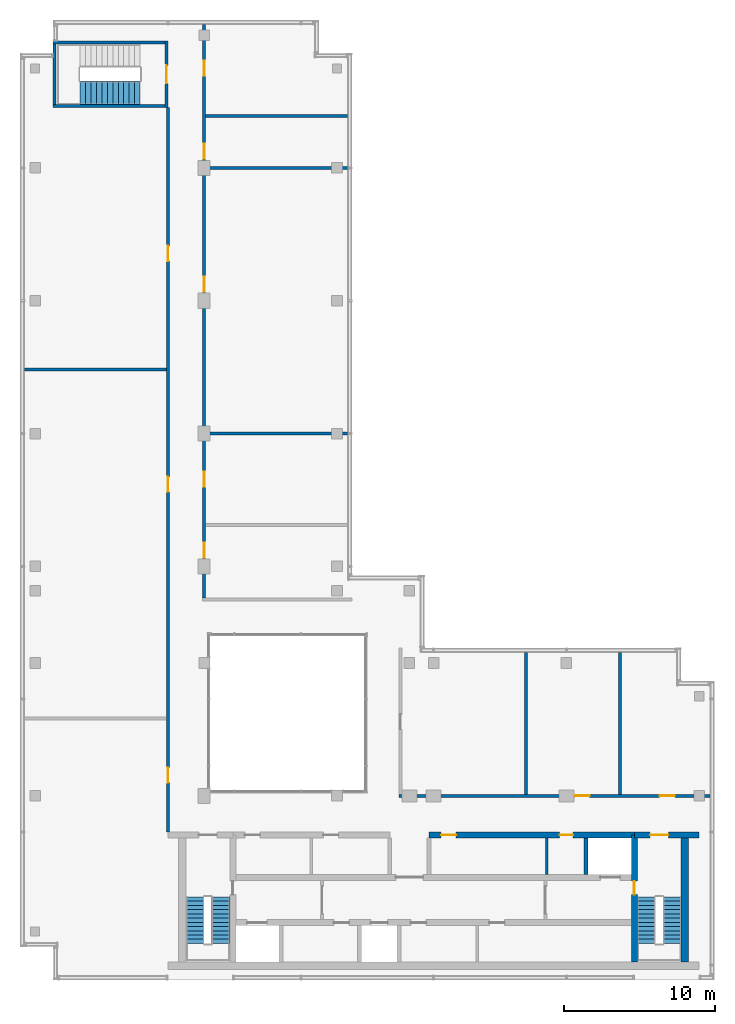
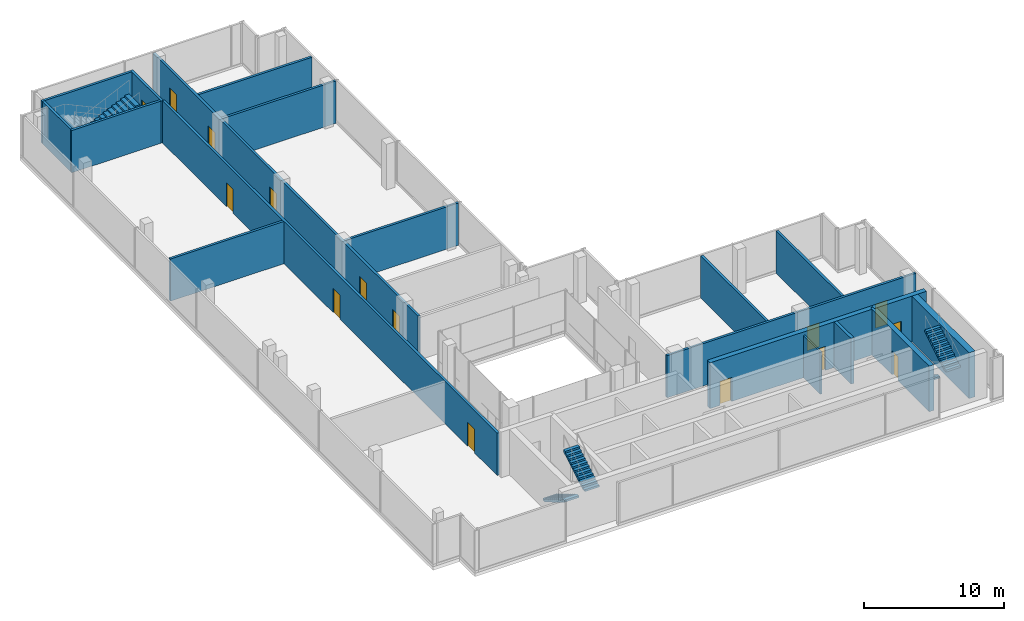
# One storey, part 9 of 11: 19 walls, 15 doors, 5 stair flights, 15 openings, 3 elements without a shape of their own.
"""IFC4 building model written with IfcOpenShell, lengths in metres."""

from ifc_helpers import new_model, si_unit, direction, frame, frame_2d, origin, place, context, subcontext, project, spatial, polyline, rectangle, outline, extrude, material, layer, layer_set, type_object, element, fill, aggregate, save


model = new_model("IFC4")

# Units and contexts
model_context = context("Model", 3, precision=1e-05, world=origin(), true_north=direction((0.0, 1.0)))
body_context = subcontext(model_context, "Body", "Model", "MODEL_VIEW")
ifc_project = project(units=[si_unit("LENGTHUNIT", "METRE"), si_unit("AREAUNIT", "SQUARE_METRE"), si_unit("VOLUMEUNIT", "CUBIC_METRE"), si_unit("PLANEANGLEUNIT", "RADIAN"), si_unit("MASSUNIT", "GRAM", prefix="KILO")], contexts=[model_context])

# Site, building, storey
site_placement = place(None, origin())
site = spatial("IfcSite", under=ifc_project, at=site_placement, CompositionType="ELEMENT")
building_placement = place(site_placement, origin())
building = spatial("IfcBuilding", under=site, at=building_placement, Name="Kemantara Hotel Tower", CompositionType="ELEMENT")
storey_placement = place(building_placement, frame((0.0, 0.0, 322.199951171875)))
storey = spatial("IfcBuildingStorey", under=building, at=storey_placement, Name="L81", CompositionType="ELEMENT", Elevation=322.199951171875)

# Wall
ifc_material_1 = material(Name="Concrete fc 50 MPa", Category="concrete")
ifc_layer_1 = layer(ifc_material_1, 0.25)
ifc_layer_set_1 = layer_set([ifc_layer_1], Name="Concrete fc 50 MPa")
wall_type_1 = type_object("IfcWallType", Name="CORE WALL 250 FC50", PredefinedType="SHEAR", material=ifc_layer_set_1)
wall_1_placement = place(storey_placement, frame((37.5, 7.0, 0.0), z_axis=(0.0, 0.0, 1.0), x_axis=(0.0, 1.0, 0.0)))
element("IfcWall", 1, at=wall_1_placement, inside=storey, type_object=wall_type_1, Name="CORE WALL CW-DN37.5", PredefinedType="SHEAR", context=body_context, shape_type="SweptSolid", body=[
    extrude(rectangle(XDim=2.39990234375, YDim=0.25, at=frame_2d((1.199951171875, 0.0))), origin(), (0.0, 0.0, 1.0), 4.0),
])

# Wall, opening, door
ifc_layer_2 = layer(ifc_material_1, 0.39990234375)
ifc_layer_set_2 = layer_set([ifc_layer_2], Name="Concrete fc 50 MPa")
wall_type_2 = type_object("IfcWallType", Name="CORE WALL 400 FC50", PredefinedType="SHEAR", material=ifc_layer_set_2)
wall_2_placement = place(storey_placement, frame((40.699951171875, 9.60009765625, 0.0), z_axis=(0.0, 0.0, 1.0), x_axis=(1.0, 0.0, 0.0)))
wall_2 = element("IfcWall", 2, at=wall_2_placement, inside=storey, type_object=wall_type_2, Name="CORE WALL CW-N2", PredefinedType="SHEAR", context=body_context, shape_type="SweptSolid", body=[
    extrude(rectangle(XDim=4.300048828125, YDim=0.39990234375, at=frame_2d((2.14990234375, 0.0))), origin(), (0.0, 0.0, 1.0), 4.0),
])
opening_1_placement = place(wall_2_placement, frame((1.050048828125, 0.0, 0.0)))
opening_1 = element("IfcOpeningElement", 3, at=opening_1_placement, cuts=wall_2, Name="Opening C45-ST2-C", PredefinedType="OPENING", context=body_context, shape_type="SweptSolid", body=[
    extrude(rectangle(XDim=1.199951171875, YDim=2.10009765625, at=frame_2d((0.60009765625, 1.050048828125))), frame((0.0, 0.2099609375, 0.0), z_axis=(0.0, -1.0, 0.0), x_axis=(1.0, 0.0, 0.0)), (0.0, 0.0, 1.0), 0.419921875),
])
ifc_material_2 = material(Name="Steel fire door", Category="steel")
door_type_1 = type_object("IfcDoorType", Name="Fire door FD90 1200 x 2100", OperationType="NOTDEFINED", PredefinedType="DOOR", material=ifc_material_2)
door_1_placement = place(opening_1_placement, frame((1.199951171875, 0.0, 0.0), z_axis=(0.0, 0.0, 1.0), x_axis=(-1.0, 0.0, 0.0)))
door_1 = element("IfcDoor", 4, at=door_1_placement, inside=storey, type_object=door_type_1, Name="Stair ST2 door to corridor", OperationType="SINGLE_SWING_RIGHT", OverallHeight=2.10009765625, OverallWidth=1.199951171875, PredefinedType="DOOR", context=body_context, shape_type="SweptSolid", body=[
    extrude(rectangle(XDim=1.199951171875, YDim=2.10009765625, at=frame_2d((0.60009765625, 1.050048828125))), frame((0.0, 0.02490234375, 0.0), z_axis=(0.0, -1.0, 0.0), x_axis=(1.0, 0.0, 0.0)), (0.0, 0.0, 1.0), 0.050048828125),
])
fill(opening_1, door_1)

# Wall, openings, doors
wall_3_placement = place(storey_placement, frame((27.10009765625, 9.60009765625, 0.0), z_axis=(0.0, 0.0, 1.0), x_axis=(1.0, 0.0, 0.0)))
wall_3 = element("IfcWall", 5, at=wall_3_placement, inside=storey, type_object=wall_type_2, Name="CORE WALL CW-NN2", PredefinedType="SHEAR", context=body_context, shape_type="SweptSolid", body=[
    extrude(rectangle(XDim=13.599853515625, YDim=0.39990234375, at=frame_2d((6.7998046875, 0.0))), origin(), (0.0, 0.0, 1.0), 4.0),
])
opening_2_placement = place(wall_3_placement, frame((0.800048828125, 0.0, 0.0)))
opening_2 = element("IfcOpeningElement", 6, at=opening_2_placement, cuts=wall_3, Name="Opening C45-R-NE1", PredefinedType="OPENING", context=body_context, shape_type="SweptSolid", body=[
    extrude(rectangle(XDim=1.0, YDim=2.10009765625, at=frame_2d((0.5, 1.050048828125))), frame((0.0, 0.2099609375, 0.0), z_axis=(0.0, -1.0, 0.0), x_axis=(1.0, 0.0, 0.0)), (0.0, 0.0, 1.0), 0.419921875),
])
opening_3_placement = place(wall_3_placement, frame((8.64990234375, 0.0, 0.0)))
opening_3 = element("IfcOpeningElement", 7, at=opening_3_placement, cuts=wall_3, Name="Opening C45-R-NE2", PredefinedType="OPENING", context=body_context, shape_type="SweptSolid", body=[
    extrude(rectangle(XDim=0.89990234375, YDim=2.10009765625, at=frame_2d((0.449951171875, 1.050048828125))), frame((0.0, 0.2099609375, 0.0), z_axis=(0.0, -1.0, 0.0), x_axis=(1.0, 0.0, 0.0)), (0.0, 0.0, 1.0), 0.419921875),
])
door_type_2 = type_object("IfcDoorType", Name="Fire door FD60 1000 x 2100", OperationType="NOTDEFINED", PredefinedType="DOOR", material=ifc_material_2)
door_2_placement = place(opening_2_placement, frame((1.0, 0.0, 0.0), z_axis=(0.0, 0.0, 1.0), x_axis=(-1.0, 0.0, 0.0)))
door_2 = element("IfcDoor", 8, at=door_2_placement, inside=storey, type_object=door_type_2, Name="Pump And Tank Room door", OperationType="SINGLE_SWING_RIGHT", OverallHeight=2.10009765625, OverallWidth=1.0, PredefinedType="DOOR", context=body_context, shape_type="SweptSolid", body=[
    extrude(rectangle(XDim=1.0, YDim=2.10009765625, at=frame_2d((0.5, 1.050048828125))), frame((0.0, 0.02490234375, 0.0), z_axis=(0.0, -1.0, 0.0), x_axis=(1.0, 0.0, 0.0)), (0.0, 0.0, 1.0), 0.050048828125),
])
fill(opening_2, door_2)
door_type_3 = type_object("IfcDoorType", Name="Fire door FD60 900 x 2100", OperationType="NOTDEFINED", PredefinedType="DOOR", material=ifc_material_2)
door_3_placement = place(opening_3_placement, frame((0.89990234375, 0.0, 0.0), z_axis=(0.0, 0.0, 1.0), x_axis=(-1.0, 0.0, 0.0)))
door_3 = element("IfcDoor", 9, at=door_3_placement, inside=storey, type_object=door_type_3, Name="Plumbing Riser Room door", OperationType="SINGLE_SWING_LEFT", OverallHeight=2.10009765625, OverallWidth=0.89990234375, PredefinedType="DOOR", context=body_context, shape_type="SweptSolid", body=[
    extrude(rectangle(XDim=0.89990234375, YDim=2.10009765625, at=frame_2d((0.449951171875, 1.050048828125))), frame((0.0, 0.02490234375, 0.0), z_axis=(0.0, -1.0, 0.0), x_axis=(1.0, 0.0, 0.0)), (0.0, 0.0, 1.0), 0.050048828125),
])
fill(opening_3, door_3)

# Wall, opening, door
wall_4_placement = place(storey_placement, frame((40.699951171875, 1.199951171875, 0.0), z_axis=(0.0, 0.0, 1.0), x_axis=(0.0, 1.0, 0.0)))
wall_4 = element("IfcWall", 10, at=wall_4_placement, inside=storey, type_object=wall_type_2, Name="CORE WALL CW-ST2W", PredefinedType="SHEAR", context=body_context, shape_type="SweptSolid", body=[
    extrude(rectangle(XDim=8.400146484375, YDim=0.39990234375, at=frame_2d((4.2001953125, 0.0))), origin(), (0.0, 0.0, 1.0), 4.0),
])
opening_4_placement = place(wall_4_placement, frame((4.449951171875, 0.0, 0.0)))
opening_4 = element("IfcOpeningElement", 11, at=opening_4_placement, cuts=wall_4, Name="Opening C45-ST2-F", PredefinedType="OPENING", context=body_context, shape_type="SweptSolid", body=[
    extrude(rectangle(XDim=0.89990234375, YDim=2.10009765625, at=frame_2d((0.449951171875, 1.050048828125))), frame((0.0, 0.2099609375, 0.0), z_axis=(0.0, -1.0, 0.0), x_axis=(1.0, 0.0, 0.0)), (0.0, 0.0, 1.0), 0.419921875),
])
door_type_4 = type_object("IfcDoorType", Name="Fire door FD90 900 x 2100", OperationType="NOTDEFINED", PredefinedType="DOOR", material=ifc_material_2)
door_4_placement = place(opening_4_placement, frame((0.89990234375, 0.0, 0.0), z_axis=(0.0, 0.0, 1.0), x_axis=(-1.0, 0.0, 0.0)))
door_4 = element("IfcDoor", 12, at=door_4_placement, inside=storey, type_object=door_type_4, Name="Stair ST2 door to firefighting lobby", OperationType="SINGLE_SWING_LEFT", OverallHeight=2.10009765625, OverallWidth=0.89990234375, PredefinedType="DOOR", context=body_context, shape_type="SweptSolid", body=[
    extrude(rectangle(XDim=0.89990234375, YDim=2.10009765625, at=frame_2d((0.449951171875, 1.050048828125))), frame((0.0, 0.02490234375, 0.0), z_axis=(0.0, -1.0, 0.0), x_axis=(1.0, 0.0, 0.0)), (0.0, 0.0, 1.0), 0.050048828125),
])
fill(opening_4, door_4)

# Wall
ifc_layer_3 = layer(ifc_material_1, 0.5)
ifc_layer_set_3 = layer_set([ifc_layer_3], Name="Concrete fc 50 MPa")
wall_type_3 = type_object("IfcWallType", Name="CORE WALL 500 FC50", PredefinedType="SHEAR", material=ifc_layer_set_3)
wall_5_placement = place(storey_placement, frame((44.050048828125, 1.199951171875, 0.0), z_axis=(0.0, 0.0, 1.0), x_axis=(0.0, 1.0, 0.0)))
element("IfcWall", 13, at=wall_5_placement, inside=storey, type_object=wall_type_3, Name="CORE WALL CW-E", PredefinedType="SHEAR", context=body_context, shape_type="SweptSolid", body=[
    extrude(rectangle(XDim=8.60009765625, YDim=0.5, at=frame_2d((4.300048828125, 0.0))), origin(), (0.0, 0.0, 1.0), 4.0),
])

# Wall, opening, door
ifc_material_3 = material(Name="Concrete fc 40 MPa", Category="concrete")
ifc_layer_4 = layer(ifc_material_3, 0.199951171875)
ifc_layer_set_4 = layer_set([ifc_layer_4], Name="Concrete fc 40 MPa")
wall_type_4 = type_object("IfcWallType", Name="Concrete stair wall 200 mm", PredefinedType="SHEAR", material=ifc_layer_set_4)
wall_6_placement = place(storey_placement, frame((9.699951171875, 57.800048828125, 0.0), z_axis=(0.0, 0.0, 1.0), x_axis=(0.0, 1.0, 0.0)))
wall_6 = element("IfcWall", 14, at=wall_6_placement, inside=storey, type_object=wall_type_4, Name="Stair ST4 enclosure wall with door", PredefinedType="SHEAR", context=body_context, shape_type="SweptSolid", body=[
    extrude(rectangle(XDim=4.39990234375, YDim=0.199951171875, at=frame_2d((2.199951171875, 0.0))), origin(), (0.0, 0.0, 1.0), 3.699951171875),
])
opening_5_placement = place(wall_6_placement, frame((1.60009765625, 0.0, 0.0)))
opening_5 = element("IfcOpeningElement", 15, at=opening_5_placement, cuts=wall_6, Name="Opening ST4-C", PredefinedType="OPENING", context=body_context, shape_type="SweptSolid", body=[
    extrude(rectangle(XDim=1.199951171875, YDim=2.10009765625, at=frame_2d((0.60009765625, 1.050048828125))), frame((0.0, 0.10986328125, 0.0), z_axis=(0.0, -1.0, 0.0), x_axis=(1.0, 0.0, 0.0)), (0.0, 0.0, 1.0), 0.219970703125),
])
door_5_placement = place(opening_5_placement, origin())
door_5 = element("IfcDoor", 16, at=door_5_placement, inside=storey, type_object=door_type_1, Name="Stair ST4 door", OperationType="SINGLE_SWING_RIGHT", OverallHeight=2.10009765625, OverallWidth=1.199951171875, PredefinedType="DOOR", context=body_context, shape_type="SweptSolid", body=[
    extrude(rectangle(XDim=1.199951171875, YDim=2.10009765625, at=frame_2d((0.60009765625, 1.050048828125))), frame((0.0, 0.02490234375, 0.0), z_axis=(0.0, -1.0, 0.0), x_axis=(1.0, 0.0, 0.0)), (0.0, 0.0, 1.0), 0.050048828125),
])
fill(opening_5, door_5)

# Walls
for number, where, z_axis, x_axis, name in (
    (17, (2.199951171875, 62.10009765625, 0.0), (0.0, 0.0, 1.0), (1.0, 0.0, 0.0), "Stair ST4 enclosure wall N"),
    (18, (2.199951171875, 57.89990234375, 0.0), (0.0, 0.0, 1.0), (1.0, 0.0, 0.0), "Stair ST4 enclosure wall S"),
):
    element("IfcWall", number, at=place(storey_placement, frame(where, z_axis=z_axis, x_axis=x_axis)), inside=storey, type_object=wall_type_4, Name=name, PredefinedType="SHEAR", context=body_context, shape_type="SweptSolid", body=[
        extrude(rectangle(XDim=7.400146484375, YDim=0.199951171875, at=frame_2d((3.7001953125, 0.0))), origin(), (0.0, 0.0, 1.0), 3.699951171875),
    ])
wall_7_placement = place(storey_placement, frame((2.300048828125, 58.0, 0.0), z_axis=(0.0, 0.0, 1.0), x_axis=(0.0, 1.0, 0.0)))
element("IfcWall", 19, at=wall_7_placement, inside=storey, type_object=wall_type_4, Name="Stair ST4 enclosure wall W", PredefinedType="SHEAR", context=body_context, shape_type="SweptSolid", body=[
    extrude(rectangle(XDim=4.0, YDim=0.199951171875, at=frame_2d((2.0, 0.0))), origin(), (0.0, 0.0, 1.0), 3.699951171875),
])
ifc_material_4 = material(Name="Clay brick masonry", Category="masonry")
ifc_layer_5 = layer(ifc_material_4, 0.199951171875)
ifc_layer_set_5 = layer_set([ifc_layer_5], Name="Clay brick masonry")
wall_type_5 = type_object("IfcWallType", Name="FIRE-RATED CLAY BRICK WALL 200 EI 120", PredefinedType="PARTITIONING", material=ifc_layer_set_5)
for number, where, z_axis, x_axis, name in (
    (20, (12.300048828125, 36.199951171875, 0.0), (0.0, 0.0, 1.0), (1.0, 0.0, 0.0), "FIRE WALL"),
    (21, (12.300048828125, 53.800048828125, 0.0), (0.0, 0.0, 1.0), (1.0, 0.0, 0.0), "FIRE WALL"),
    (22, (12.300048828125, 57.22998046875, 0.0), (0.0, 0.0, 1.0), (1.0, 0.0, 0.0), "FIRE WALL"),
    (23, (0.300048828125, 40.4599609375, 0.0), (0.0, 0.0, 1.0), (1.0, 0.0, 0.0), "FIRE WALL"),
    (24, (33.52001953125, 12.300048828125, 0.0), (0.0, 0.0, 1.0), (0.0, 1.0, 0.0), "FIRE WALL"),
    (25, (39.760009765625, 12.300048828125, 0.0), (0.0, 0.0, 1.0), (0.0, 1.0, 0.0), "FIRE WALL"),
):
    element("IfcWall", number, at=place(storey_placement, frame(where, z_axis=z_axis, x_axis=x_axis)), inside=storey, type_object=wall_type_5, Name=name, PredefinedType="PARTITIONING", context=body_context, shape_type="SweptSolid", body=[
        extrude(rectangle(XDim=9.39990234375, YDim=0.199951171875, at=frame_2d((4.699951171875, 0.0))), origin(), (0.0, 0.0, 1.0), 3.699951171875),
    ])

# Wall, openings, doors
ifc_material_5 = material(Name="Fire-rated gypsum board partition")
ifc_layer_6 = layer(ifc_material_5, 0.199951171875)
ifc_layer_set_6 = layer_set([ifc_layer_6], Name="Fire-rated gypsum board partition")
wall_type_6 = type_object("IfcWallType", Name="FIRE-RATED GYPSUM PARTITION 200 EI 60", PredefinedType="PARTITIONING", material=ifc_layer_set_6)
wall_8_placement = place(storey_placement, frame((25.10009765625, 12.199951171875, 0.0), z_axis=(0.0, 0.0, 1.0), x_axis=(1.0, 0.0, 0.0)))
wall_8 = element("IfcWall", 26, at=wall_8_placement, inside=storey, type_object=wall_type_6, Name="FIRE-RATED PARTITION", PredefinedType="PARTITIONING", context=body_context, shape_type="SweptSolid", body=[
    extrude(rectangle(XDim=20.599853515625, YDim=0.199951171875, at=frame_2d((10.2998046875, 0.0))), origin(), (0.0, 0.0, 1.0), 3.699951171875),
])
opening_6_placement = place(wall_8_placement, frame((11.639892578125, 0.0, 0.0)))
opening_6 = element("IfcOpeningElement", 27, at=opening_6_placement, cuts=wall_8, Name="Opening L81-B002", PredefinedType="OPENING", context=body_context, shape_type="SweptSolid", body=[
    extrude(rectangle(XDim=1.0, YDim=2.10009765625, at=frame_2d((0.5, 1.050048828125))), frame((0.0, 0.10986328125, 0.0), z_axis=(0.0, -1.0, 0.0), x_axis=(1.0, 0.0, 0.0)), (0.0, 0.0, 1.0), 0.219970703125),
])
opening_7_placement = place(wall_8_placement, frame((17.280029296875, 0.0, 0.0)))
opening_7 = element("IfcOpeningElement", 28, at=opening_7_placement, cuts=wall_8, Name="Opening L81-B003", PredefinedType="OPENING", context=body_context, shape_type="SweptSolid", body=[
    extrude(rectangle(XDim=1.0, YDim=2.10009765625, at=frame_2d((0.5, 1.050048828125))), frame((0.0, 0.10986328125, 0.0), z_axis=(0.0, -1.0, 0.0), x_axis=(1.0, 0.0, 0.0)), (0.0, 0.0, 1.0), 0.219970703125),
])
ifc_material_6 = material(Name="Galvanised steel door leaf", Category="steel")
door_type_5 = type_object("IfcDoorType", Name="FIRE-RATED STEEL DOOR 1000 X 2100", OperationType="SINGLE_SWING_LEFT", PredefinedType="DOOR", material=ifc_material_6)
door_6_placement = place(opening_6_placement, frame((1.0, 0.0, 0.0), z_axis=(0.0, 0.0, 1.0), x_axis=(-1.0, 0.0, 0.0)))
door_6 = element("IfcDoor", 29, at=door_6_placement, inside=storey, type_object=door_type_5, Name="FIRE-RATED STEEL DOOR", OperationType="SINGLE_SWING_LEFT", OverallHeight=2.10009765625, OverallWidth=1.0, PredefinedType="DOOR", context=body_context, shape_type="SweptSolid", body=[
    extrude(rectangle(XDim=1.0, YDim=2.10009765625, at=frame_2d((0.5, 1.050048828125))), frame((0.0, 0.02490234375, 0.0), z_axis=(0.0, -1.0, 0.0), x_axis=(1.0, 0.0, 0.0)), (0.0, 0.0, 1.0), 0.050048828125),
])
fill(opening_6, door_6)
door_7_placement = place(opening_7_placement, frame((1.0, 0.0, 0.0), z_axis=(0.0, 0.0, 1.0), x_axis=(-1.0, 0.0, 0.0)))
door_7 = element("IfcDoor", 30, at=door_7_placement, inside=storey, type_object=door_type_5, Name="FIRE-RATED STEEL DOOR", OperationType="SINGLE_SWING_LEFT", OverallHeight=2.10009765625, OverallWidth=1.0, PredefinedType="DOOR", context=body_context, shape_type="SweptSolid", body=[
    extrude(rectangle(XDim=1.0, YDim=2.10009765625, at=frame_2d((0.5, 1.050048828125))), frame((0.0, 0.02490234375, 0.0), z_axis=(0.0, -1.0, 0.0), x_axis=(1.0, 0.0, 0.0)), (0.0, 0.0, 1.0), 0.050048828125),
])
fill(opening_7, door_7)

wall_9_placement = place(storey_placement, frame((9.800048828125, 9.800048828125, 0.0), z_axis=(0.0, 0.0, 1.0), x_axis=(0.0, 1.0, 0.0)))
wall_9 = element("IfcWall", 31, at=wall_9_placement, inside=storey, type_object=wall_type_6, Name="FIRE-RATED PARTITION", PredefinedType="PARTITIONING", context=body_context, shape_type="SweptSolid", body=[
    extrude(rectangle(XDim=48.0, YDim=0.199951171875, at=frame_2d((24.0, 0.0))), origin(), (0.0, 0.0, 1.0), 3.699951171875),
])
opening_8_placement = place(wall_9_placement, frame((3.27001953125, 0.0, 0.0)))
opening_8 = element("IfcOpeningElement", 32, at=opening_8_placement, cuts=wall_9, Name="Opening L81-B009", PredefinedType="OPENING", context=body_context, shape_type="SweptSolid", body=[
    extrude(rectangle(XDim=1.0, YDim=2.10009765625, at=frame_2d((0.5, 1.050048828125))), frame((0.0, 0.10986328125, 0.0), z_axis=(0.0, -1.0, 0.0), x_axis=(1.0, 0.0, 0.0)), (0.0, 0.0, 1.0), 0.219970703125),
])
opening_9_placement = place(wall_9_placement, frame((22.530029296875, 0.0, 0.0)))
opening_9 = element("IfcOpeningElement", 33, at=opening_9_placement, cuts=wall_9, Name="Opening L81-B010", PredefinedType="OPENING", context=body_context, shape_type="SweptSolid", body=[
    extrude(rectangle(XDim=1.0, YDim=2.10009765625, at=frame_2d((0.5, 1.050048828125))), frame((0.0, 0.10986328125, 0.0), z_axis=(0.0, -1.0, 0.0), x_axis=(1.0, 0.0, 0.0)), (0.0, 0.0, 1.0), 0.219970703125),
])
opening_10_placement = place(wall_9_placement, frame((37.830078125, 0.0, 0.0)))
opening_10 = element("IfcOpeningElement", 34, at=opening_10_placement, cuts=wall_9, Name="Opening L81-B011", PredefinedType="OPENING", context=body_context, shape_type="SweptSolid", body=[
    extrude(rectangle(XDim=1.0, YDim=2.10009765625, at=frame_2d((0.5, 1.050048828125))), frame((0.0, 0.10986328125, 0.0), z_axis=(0.0, -1.0, 0.0), x_axis=(1.0, 0.0, 0.0)), (0.0, 0.0, 1.0), 0.219970703125),
])
door_8_placement = place(opening_8_placement, frame((1.0, 0.0, 0.0), z_axis=(0.0, 0.0, 1.0), x_axis=(-1.0, 0.0, 0.0)))
door_8 = element("IfcDoor", 35, at=door_8_placement, inside=storey, type_object=door_type_5, Name="FIRE-RATED STEEL DOOR", OperationType="SINGLE_SWING_RIGHT", OverallHeight=2.10009765625, OverallWidth=1.0, PredefinedType="DOOR", context=body_context, shape_type="SweptSolid", body=[
    extrude(rectangle(XDim=1.0, YDim=2.10009765625, at=frame_2d((0.5, 1.050048828125))), frame((0.0, 0.02490234375, 0.0), z_axis=(0.0, -1.0, 0.0), x_axis=(1.0, 0.0, 0.0)), (0.0, 0.0, 1.0), 0.050048828125),
])
fill(opening_8, door_8)
door_9_placement = place(opening_9_placement, frame((1.0, 0.0, 0.0), z_axis=(0.0, 0.0, 1.0), x_axis=(-1.0, 0.0, 0.0)))
door_9 = element("IfcDoor", 36, at=door_9_placement, inside=storey, type_object=door_type_5, Name="FIRE-RATED STEEL DOOR", OperationType="SINGLE_SWING_RIGHT", OverallHeight=2.10009765625, OverallWidth=1.0, PredefinedType="DOOR", context=body_context, shape_type="SweptSolid", body=[
    extrude(rectangle(XDim=1.0, YDim=2.10009765625, at=frame_2d((0.5, 1.050048828125))), frame((0.0, 0.02490234375, 0.0), z_axis=(0.0, -1.0, 0.0), x_axis=(1.0, 0.0, 0.0)), (0.0, 0.0, 1.0), 0.050048828125),
])
fill(opening_9, door_9)
door_10_placement = place(opening_10_placement, frame((1.0, 0.0, 0.0), z_axis=(0.0, 0.0, 1.0), x_axis=(-1.0, 0.0, 0.0)))
door_10 = element("IfcDoor", 37, at=door_10_placement, inside=storey, type_object=door_type_5, Name="FIRE-RATED STEEL DOOR", OperationType="SINGLE_SWING_LEFT", OverallHeight=2.10009765625, OverallWidth=1.0, PredefinedType="DOOR", context=body_context, shape_type="SweptSolid", body=[
    extrude(rectangle(XDim=1.0, YDim=2.10009765625, at=frame_2d((0.5, 1.050048828125))), frame((0.0, 0.02490234375, 0.0), z_axis=(0.0, -1.0, 0.0), x_axis=(1.0, 0.0, 0.0)), (0.0, 0.0, 1.0), 0.050048828125),
])
fill(opening_10, door_10)

wall_10_placement = place(storey_placement, frame((12.199951171875, 25.300048828125, 0.0), z_axis=(0.0, 0.0, 1.0), x_axis=(0.0, 1.0, 0.0)))
wall_10 = element("IfcWall", 38, at=wall_10_placement, inside=storey, type_object=wall_type_6, Name="FIRE-RATED PARTITION", PredefinedType="PARTITIONING", context=body_context, shape_type="SweptSolid", body=[
    extrude(rectangle(XDim=38.0, YDim=0.199951171875, at=frame_2d((19.0, 0.0))), origin(), (0.0, 0.0, 1.0), 3.699951171875),
])
opening_11_placement = place(wall_10_placement, frame((2.675048828125, 0.0, 0.0)))
opening_11 = element("IfcOpeningElement", 39, at=opening_11_placement, cuts=wall_10, Name="Opening L81-B004", PredefinedType="OPENING", context=body_context, shape_type="SweptSolid", body=[
    extrude(rectangle(XDim=1.0, YDim=2.10009765625, at=frame_2d((0.5, 1.050048828125))), frame((0.0, 0.10986328125, 0.0), z_axis=(0.0, -1.0, 0.0), x_axis=(1.0, 0.0, 0.0)), (0.0, 0.0, 1.0), 0.219970703125),
])
opening_12_placement = place(wall_10_placement, frame((7.375, 0.0, 0.0)))
opening_12 = element("IfcOpeningElement", 40, at=opening_12_placement, cuts=wall_10, Name="Opening L81-B005", PredefinedType="OPENING", context=body_context, shape_type="SweptSolid", body=[
    extrude(rectangle(XDim=1.0, YDim=2.10009765625, at=frame_2d((0.5, 1.050048828125))), frame((0.0, 0.10986328125, 0.0), z_axis=(0.0, -1.0, 0.0), x_axis=(1.0, 0.0, 0.0)), (0.0, 0.0, 1.0), 0.219970703125),
])
opening_13_placement = place(wall_10_placement, frame((20.300048828125, 0.0, 0.0)))
opening_13 = element("IfcOpeningElement", 41, at=opening_13_placement, cuts=wall_10, Name="Opening L81-B006", PredefinedType="OPENING", context=body_context, shape_type="SweptSolid", body=[
    extrude(rectangle(XDim=1.0, YDim=2.10009765625, at=frame_2d((0.5, 1.050048828125))), frame((0.0, 0.10986328125, 0.0), z_axis=(0.0, -1.0, 0.0), x_axis=(1.0, 0.0, 0.0)), (0.0, 0.0, 1.0), 0.219970703125),
])
opening_14_placement = place(wall_10_placement, frame((29.10009765625, 0.0, 0.0)))
opening_14 = element("IfcOpeningElement", 42, at=opening_14_placement, cuts=wall_10, Name="Opening L81-B007", PredefinedType="OPENING", context=body_context, shape_type="SweptSolid", body=[
    extrude(rectangle(XDim=1.0, YDim=2.10009765625, at=frame_2d((0.5, 1.050048828125))), frame((0.0, 0.10986328125, 0.0), z_axis=(0.0, -1.0, 0.0), x_axis=(1.0, 0.0, 0.0)), (0.0, 0.0, 1.0), 0.219970703125),
])
opening_15_placement = place(wall_10_placement, frame((34.614990234375, 0.0, 0.0)))
opening_15 = element("IfcOpeningElement", 43, at=opening_15_placement, cuts=wall_10, Name="Opening L81-B008", PredefinedType="OPENING", context=body_context, shape_type="SweptSolid", body=[
    extrude(rectangle(XDim=1.0, YDim=2.10009765625, at=frame_2d((0.5, 1.050048828125))), frame((0.0, 0.10986328125, 0.0), z_axis=(0.0, -1.0, 0.0), x_axis=(1.0, 0.0, 0.0)), (0.0, 0.0, 1.0), 0.219970703125),
])
door_11_placement = place(opening_11_placement, origin())
door_11 = element("IfcDoor", 44, at=door_11_placement, inside=storey, type_object=door_type_5, Name="FIRE-RATED STEEL DOOR", OperationType="SINGLE_SWING_LEFT", OverallHeight=2.10009765625, OverallWidth=1.0, PredefinedType="DOOR", context=body_context, shape_type="SweptSolid", body=[
    extrude(rectangle(XDim=1.0, YDim=2.10009765625, at=frame_2d((0.5, 1.050048828125))), frame((0.0, 0.02490234375, 0.0), z_axis=(0.0, -1.0, 0.0), x_axis=(1.0, 0.0, 0.0)), (0.0, 0.0, 1.0), 0.050048828125),
])
fill(opening_11, door_11)
door_12_placement = place(opening_12_placement, origin())
door_12 = element("IfcDoor", 45, at=door_12_placement, inside=storey, type_object=door_type_5, Name="FIRE-RATED STEEL DOOR", OperationType="SINGLE_SWING_LEFT", OverallHeight=2.10009765625, OverallWidth=1.0, PredefinedType="DOOR", context=body_context, shape_type="SweptSolid", body=[
    extrude(rectangle(XDim=1.0, YDim=2.10009765625, at=frame_2d((0.5, 1.050048828125))), frame((0.0, 0.02490234375, 0.0), z_axis=(0.0, -1.0, 0.0), x_axis=(1.0, 0.0, 0.0)), (0.0, 0.0, 1.0), 0.050048828125),
])
fill(opening_12, door_12)
door_13_placement = place(opening_13_placement, origin())
door_13 = element("IfcDoor", 46, at=door_13_placement, inside=storey, type_object=door_type_5, Name="FIRE-RATED STEEL DOOR", OperationType="SINGLE_SWING_RIGHT", OverallHeight=2.10009765625, OverallWidth=1.0, PredefinedType="DOOR", context=body_context, shape_type="SweptSolid", body=[
    extrude(rectangle(XDim=1.0, YDim=2.10009765625, at=frame_2d((0.5, 1.050048828125))), frame((0.0, 0.02490234375, 0.0), z_axis=(0.0, -1.0, 0.0), x_axis=(1.0, 0.0, 0.0)), (0.0, 0.0, 1.0), 0.050048828125),
])
fill(opening_13, door_13)
door_14_placement = place(opening_14_placement, origin())
door_14 = element("IfcDoor", 47, at=door_14_placement, inside=storey, type_object=door_type_5, Name="FIRE-RATED STEEL DOOR", OperationType="SINGLE_SWING_RIGHT", OverallHeight=2.10009765625, OverallWidth=1.0, PredefinedType="DOOR", context=body_context, shape_type="SweptSolid", body=[
    extrude(rectangle(XDim=1.0, YDim=2.10009765625, at=frame_2d((0.5, 1.050048828125))), frame((0.0, 0.02490234375, 0.0), z_axis=(0.0, -1.0, 0.0), x_axis=(1.0, 0.0, 0.0)), (0.0, 0.0, 1.0), 0.050048828125),
])
fill(opening_14, door_14)
door_15_placement = place(opening_15_placement, origin())
door_15 = element("IfcDoor", 48, at=door_15_placement, inside=storey, type_object=door_type_5, Name="FIRE-RATED STEEL DOOR", OperationType="SINGLE_SWING_RIGHT", OverallHeight=2.10009765625, OverallWidth=1.0, PredefinedType="DOOR", context=body_context, shape_type="SweptSolid", body=[
    extrude(rectangle(XDim=1.0, YDim=2.10009765625, at=frame_2d((0.5, 1.050048828125))), frame((0.0, 0.02490234375, 0.0), z_axis=(0.0, -1.0, 0.0), x_axis=(1.0, 0.0, 0.0)), (0.0, 0.0, 1.0), 0.050048828125),
])
fill(opening_15, door_15)

# Wall
ifc_material_7 = material(Name="Gypsum board partition")
ifc_layer_7 = layer(ifc_material_7, 0.14990234375)
ifc_layer_set_7 = layer_set([ifc_layer_7], Name="Gypsum board partition")
wall_type_7 = type_object("IfcWallType", Name="Gypsum board partition 150 mm", PredefinedType="PARTITIONING", material=ifc_layer_set_7)
wall_11_placement = place(storey_placement, frame((34.89990234375, 7.0, 0.0), z_axis=(0.0, 0.0, 1.0), x_axis=(0.0, 1.0, 0.0)))
element("IfcWall", 49, at=wall_11_placement, inside=storey, type_object=wall_type_7, Name="Core room partition", PredefinedType="PARTITIONING", context=body_context, shape_type="SweptSolid", body=[
    extrude(rectangle(XDim=2.39990234375, YDim=0.14990234375, at=frame_2d((1.199951171875, 0.0))), origin(), (0.0, 0.0, 1.0), 3.699951171875),
])

# Stair, stair flights
stair_type_1 = type_object("IfcStairType", Name="Stair 1200 wide 24 risers of 167 x 280 mm", PredefinedType="HALF_TURN_STAIR", material=ifc_material_3)
stair_1_placement = place(storey_placement, origin())
stair_1 = element("IfcStair", 50, at=stair_1_placement, inside=storey, type_object=stair_type_1, Name="L81 Exit stair ST1", PredefinedType="HALF_TURN_STAIR")
stair_flight_type_1 = type_object("IfcStairFlightType", Name="Stair flight 1200 wide 167 x 280 mm", PredefinedType="STRAIGHT", material=ifc_material_3)
stair_flight_1_placement = place(storey_placement, frame((11.60009765625, 5.5, 0.0), z_axis=(0.0, 0.0, 1.0), x_axis=(0.0, -1.0, 0.0)))
stair_flight_1 = element("IfcStairFlight", 51, at=stair_flight_1_placement, type_object=stair_flight_type_1, Name="ST1 flight 1", NumberOfRisers=12, NumberOfTreads=11, PredefinedType="STRAIGHT", RiserHeight=0.166666667, TreadLength=0.28, context=body_context, shape_type="SweptSolid", body=[
    extrude(outline(polyline([(0.0, 0.0), (0.0, 0.166748046875), (0.280029296875, 0.166748046875), (0.280029296875, 0.333251953125), (0.56005859375, 0.333251953125), (0.56005859375, 0.5), (0.840087890625, 0.5), (0.840087890625, 0.666748046875), (1.1201171875, 0.666748046875), (1.1201171875, 0.833251953125), (1.39990234375, 0.833251953125), (1.39990234375, 1.0), (1.679931640625, 1.0), (1.679931640625, 1.166748046875), (1.9599609375, 1.166748046875), (1.9599609375, 1.333251953125), (2.239990234375, 1.333251953125), (2.239990234375, 1.5), (2.52001953125, 1.5), (2.52001953125, 1.666748046875), (2.800048828125, 1.666748046875), (2.800048828125, 1.833251953125), (3.080078125, 1.833251953125), (3.080078125, 2.0), (3.080078125, 1.658935546875), (0.29296875, 0.0), (0.0, 0.0)])), frame((0.0, 0.60009765625, 0.0), z_axis=(0.0, -1.0, 0.0), x_axis=(1.0, 0.0, 0.0)), (0.0, 0.0, 1.0), 1.199951171875),
])
stair_flight_2_placement = place(storey_placement, frame((13.300048828125, 2.419921875, 2.0), z_axis=(0.0, 0.0, 1.0), x_axis=(0.0, 1.0, 0.0)))
stair_flight_2 = element("IfcStairFlight", 52, at=stair_flight_2_placement, type_object=stair_flight_type_1, Name="ST1 flight 2", NumberOfRisers=12, NumberOfTreads=11, PredefinedType="STRAIGHT", RiserHeight=0.166666667, TreadLength=0.28, context=body_context, shape_type="SweptSolid", body=[
    extrude(outline(polyline([(0.0, 0.0), (0.0, 0.166748046875), (0.280029296875, 0.166748046875), (0.280029296875, 0.333251953125), (0.56005859375, 0.333251953125), (0.56005859375, 0.5), (0.840087890625, 0.5), (0.840087890625, 0.666748046875), (1.1201171875, 0.666748046875), (1.1201171875, 0.833251953125), (1.39990234375, 0.833251953125), (1.39990234375, 1.0), (1.679931640625, 1.0), (1.679931640625, 1.166748046875), (1.9599609375, 1.166748046875), (1.9599609375, 1.333251953125), (2.239990234375, 1.333251953125), (2.239990234375, 1.5), (2.52001953125, 1.5), (2.52001953125, 1.666748046875), (2.800048828125, 1.666748046875), (2.800048828125, 1.833251953125), (3.080078125, 1.833251953125), (3.080078125, 2.0), (3.080078125, 1.658935546875), (0.29296875, 0.0), (0.0, 0.0)])), frame((0.0, 0.60009765625, 0.0), z_axis=(0.0, -1.0, 0.0), x_axis=(1.0, 0.0, 0.0)), (0.0, 0.0, 1.0), 1.199951171875),
])
aggregate(stair_1, [stair_flight_1, stair_flight_2])

stair_2_placement = place(storey_placement, origin())
stair_2 = element("IfcStair", 53, at=stair_2_placement, inside=storey, type_object=stair_type_1, Name="L81 Exit stair ST2", PredefinedType="HALF_TURN_STAIR")
stair_flight_3_placement = place(storey_placement, frame((41.5, 5.5, 0.0), z_axis=(0.0, 0.0, 1.0), x_axis=(0.0, -1.0, 0.0)))
stair_flight_3 = element("IfcStairFlight", 54, at=stair_flight_3_placement, type_object=stair_flight_type_1, Name="ST2 flight 1", NumberOfRisers=12, NumberOfTreads=11, PredefinedType="STRAIGHT", RiserHeight=0.166666667, TreadLength=0.28, context=body_context, shape_type="SweptSolid", body=[
    extrude(outline(polyline([(0.0, 0.0), (0.0, 0.166748046875), (0.280029296875, 0.166748046875), (0.280029296875, 0.333251953125), (0.56005859375, 0.333251953125), (0.56005859375, 0.5), (0.840087890625, 0.5), (0.840087890625, 0.666748046875), (1.1201171875, 0.666748046875), (1.1201171875, 0.833251953125), (1.39990234375, 0.833251953125), (1.39990234375, 1.0), (1.679931640625, 1.0), (1.679931640625, 1.166748046875), (1.9599609375, 1.166748046875), (1.9599609375, 1.333251953125), (2.239990234375, 1.333251953125), (2.239990234375, 1.5), (2.52001953125, 1.5), (2.52001953125, 1.666748046875), (2.800048828125, 1.666748046875), (2.800048828125, 1.833251953125), (3.080078125, 1.833251953125), (3.080078125, 2.0), (3.080078125, 1.658935546875), (0.29296875, 0.0), (0.0, 0.0)])), frame((0.0, 0.60009765625, 0.0), z_axis=(0.0, -1.0, 0.0), x_axis=(1.0, 0.0, 0.0)), (0.0, 0.0, 1.0), 1.199951171875),
])
stair_flight_4_placement = place(storey_placement, frame((43.199951171875, 2.419921875, 2.0), z_axis=(0.0, 0.0, 1.0), x_axis=(0.0, 1.0, 0.0)))
stair_flight_4 = element("IfcStairFlight", 55, at=stair_flight_4_placement, type_object=stair_flight_type_1, Name="ST2 flight 2", NumberOfRisers=12, NumberOfTreads=11, PredefinedType="STRAIGHT", RiserHeight=0.166666667, TreadLength=0.28, context=body_context, shape_type="SweptSolid", body=[
    extrude(outline(polyline([(0.0, 0.0), (0.0, 0.166748046875), (0.280029296875, 0.166748046875), (0.280029296875, 0.333251953125), (0.56005859375, 0.333251953125), (0.56005859375, 0.5), (0.840087890625, 0.5), (0.840087890625, 0.666748046875), (1.1201171875, 0.666748046875), (1.1201171875, 0.833251953125), (1.39990234375, 0.833251953125), (1.39990234375, 1.0), (1.679931640625, 1.0), (1.679931640625, 1.166748046875), (1.9599609375, 1.166748046875), (1.9599609375, 1.333251953125), (2.239990234375, 1.333251953125), (2.239990234375, 1.5), (2.52001953125, 1.5), (2.52001953125, 1.666748046875), (2.800048828125, 1.666748046875), (2.800048828125, 1.833251953125), (3.080078125, 1.833251953125), (3.080078125, 2.0), (3.080078125, 1.658935546875), (0.29296875, 0.0), (0.0, 0.0)])), frame((0.0, 0.60009765625, 0.0), z_axis=(0.0, -1.0, 0.0), x_axis=(1.0, 0.0, 0.0)), (0.0, 0.0, 1.0), 1.199951171875),
])
aggregate(stair_2, [stair_flight_3, stair_flight_4])

# Stair, stair flight
stair_type_2 = type_object("IfcStairType", Name="Stair 1550 wide 24 risers of 167 x 360 mm", PredefinedType="HALF_TURN_STAIR", material=ifc_material_3)
stair_3_placement = place(storey_placement, origin())
stair_3 = element("IfcStair", 56, at=stair_3_placement, inside=storey, type_object=stair_type_2, Name="L81 Exit stair ST4", PredefinedType="HALF_TURN_STAIR")
stair_flight_type_2 = type_object("IfcStairFlightType", Name="Stair flight 1550 wide 167 x 360 mm", PredefinedType="STRAIGHT", material=ifc_material_3)
stair_flight_5_placement = place(storey_placement, frame((3.989990234375, 58.77490234375, 2.0), z_axis=(0.0, 0.0, 1.0), x_axis=(1.0, 0.0, 0.0)))
stair_flight_5 = element("IfcStairFlight", 57, at=stair_flight_5_placement, type_object=stair_flight_type_2, Name="ST4 flight 2", NumberOfRisers=12, NumberOfTreads=11, PredefinedType="STRAIGHT", RiserHeight=0.166666667, TreadLength=0.36, context=body_context, shape_type="SweptSolid", body=[
    extrude(outline(polyline([(0.0, 0.0), (0.0, 0.166748046875), (0.360107421875, 0.166748046875), (0.360107421875, 0.333251953125), (0.719970703125, 0.333251953125), (0.719970703125, 0.5), (1.080078125, 0.5), (1.080078125, 0.666748046875), (1.43994140625, 0.666748046875), (1.43994140625, 0.833251953125), (1.800048828125, 0.833251953125), (1.800048828125, 1.0), (2.159912109375, 1.0), (2.159912109375, 1.166748046875), (2.52001953125, 1.166748046875), (2.52001953125, 1.333251953125), (2.8798828125, 1.333251953125), (2.8798828125, 1.5), (3.239990234375, 1.5), (3.239990234375, 1.666748046875), (3.60009765625, 1.666748046875), (3.60009765625, 1.833251953125), (3.9599609375, 1.833251953125), (3.9599609375, 2.0), (3.9599609375, 1.668212890625), (0.356689453125, 0.0), (0.0, 0.0)])), frame((0.0, 0.77490234375, 0.0), z_axis=(0.0, -1.0, 0.0), x_axis=(1.0, 0.0, 0.0)), (0.0, 0.0, 1.0), 1.550048828125),
])
aggregate(stair_3, [stair_flight_5])

save(model, "model.ifc")
